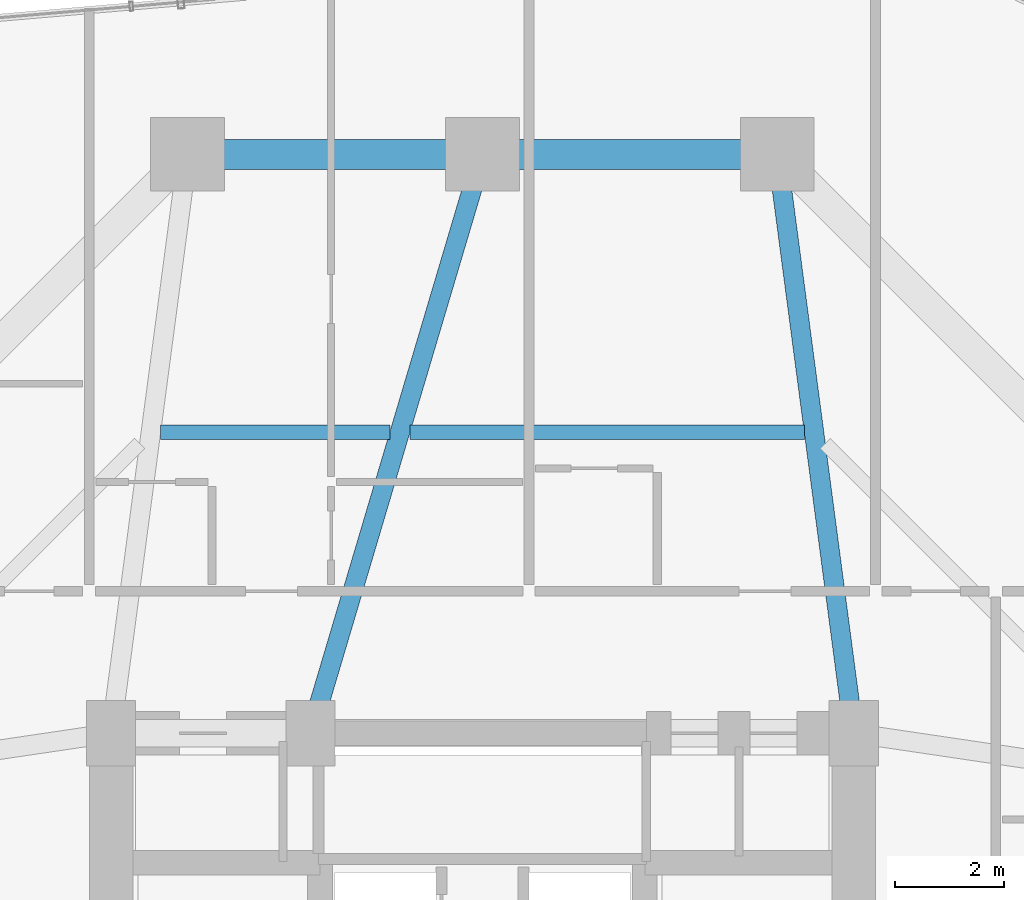
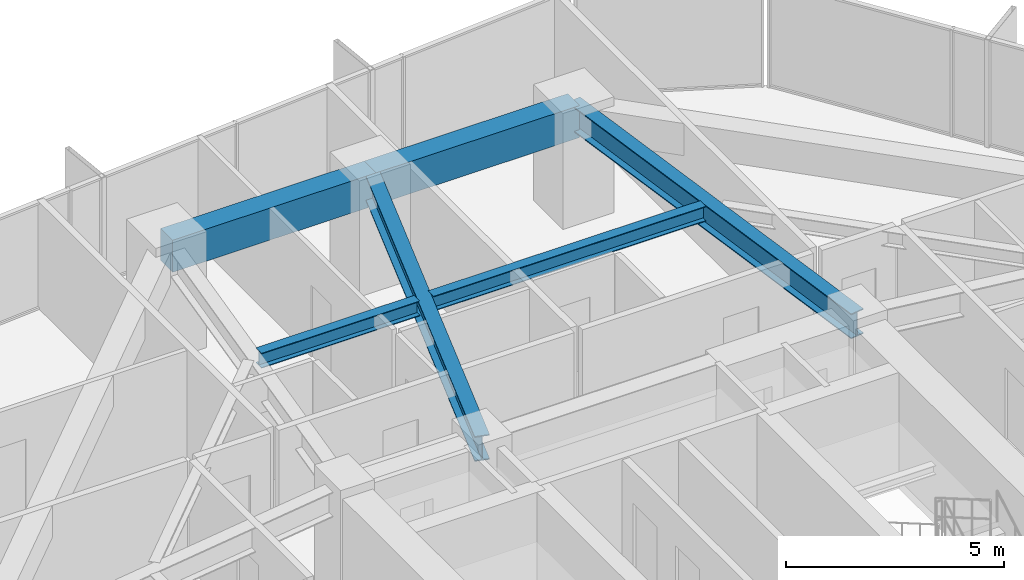
# One storey, part 24 of 37: 6 beams.
"""IFC4 building model written with IfcOpenShell, lengths in metres."""

from ifc_helpers import new_model, si_unit, direction, frame, origin, origin_2d, place, context, subcontext, project, spatial, rectangle, i_section, extrude, material, material_profile, profile_set, type_object, element, save


model = new_model("IFC4")

# Units and contexts
model_context = context("Model", 3, precision=1e-05, world=origin(), true_north=direction((0.0, 1.0)))
body_context = subcontext(model_context, "Body", "Model", "MODEL_VIEW")
ifc_project = project(units=[si_unit("LENGTHUNIT", "METRE"), si_unit("AREAUNIT", "SQUARE_METRE"), si_unit("VOLUMEUNIT", "CUBIC_METRE"), si_unit("PLANEANGLEUNIT", "RADIAN"), si_unit("MASSUNIT", "GRAM", prefix="KILO")], contexts=[model_context])

# Site, building, storey
site_placement = place(None, origin())
site = spatial("IfcSite", under=ifc_project, at=site_placement, CompositionType="ELEMENT")
building_placement = place(site_placement, origin())
building = spatial("IfcBuilding", under=site, at=building_placement, Name="Veraguas Prism Commons", CompositionType="ELEMENT")
storey_placement = place(building_placement, frame((0.0, 0.0, 40.300048828125)))
storey = spatial("IfcBuildingStorey", under=building, at=storey_placement, Name="L10", CompositionType="ELEMENT", Elevation=40.300048828125)

# Beams
ifc_material_1 = material(Name="Steel ASTM A992 Grade 50", Category="steel")
ifc_material_profile_1 = material_profile(ifc_material_1, i_section(OverallWidth=0.260986328125, OverallDepth=0.419921875, WebThickness=0.01171875, FlangeThickness=0.019287109375, at=origin_2d()), Name="W410X114")
ifc_profile_set_1 = profile_set([ifc_material_profile_1], Name="Steel ASTM A992 Grade 50")
beam_type_1 = type_object("IfcBeamType", Name="Lower Floor Joist W410x114", PredefinedType="JOIST", material=ifc_profile_set_1)
beam_1_placement = place(storey_placement, frame((29.89453125, 36.511962890625, 2.7900390625), z_axis=(-1.0, 0.0, 0.0), x_axis=(0.0, -1.0, 0.0)))
element("IfcBeam", 1, at=beam_1_placement, inside=storey, type_object=beam_type_1, Name="Composite Floor Joist L10-JS04", PredefinedType="JOIST", context=body_context, shape_type="SweptSolid", body=[
    extrude(i_section(OverallWidth=0.260986328125, OverallDepth=0.419921875, WebThickness=0.01171875, FlangeThickness=0.019287109375, at=origin_2d()), origin(), (0.0, 0.0, 1.0), 7.222900390625),
])
beam_2_placement = place(storey_placement, frame((22.304443359375, 36.511962890625, 2.7900390625), z_axis=(-1.0, 0.0, 0.0), x_axis=(0.0, -1.0, 0.0)))
element("IfcBeam", 2, at=beam_2_placement, inside=storey, type_object=beam_type_1, Name="Composite Floor Joist L10-JS05", PredefinedType="JOIST", context=body_context, shape_type="SweptSolid", body=[
    extrude(i_section(OverallWidth=0.260986328125, OverallDepth=0.419921875, WebThickness=0.01171875, FlangeThickness=0.019287109375, at=origin_2d()), origin(), (0.0, 0.0, 1.0), 4.198974609375),
])
ifc_material_2 = material(Name="Concrete C50/60", Category="concrete")
ifc_material_profile_2 = material_profile(ifc_material_2, rectangle(XDim=0.550048828125, YDim=0.89990234375, at=origin_2d()), Name="RC550X900")
ifc_profile_set_2 = profile_set([ifc_material_profile_2], Name="Concrete C50/60")
beam_type_2 = type_object("IfcBeamType", Name="Perimeter Spandrel Lower RC 550x900", PredefinedType="SPANDREL", material=ifc_profile_set_2)
for number, where, z_axis, x_axis, name in (
    (3, (29.39990234375, 41.60009765625, 2.550048828125), (-1.0, 0.0, 0.0), (0.0, -1.0, 0.0), "Perimeter Spandrel Beam L10-SP04"),
    (4, (24.0, 41.60009765625, 2.550048828125), (-1.0, 0.0, 0.0), (0.0, -1.0, 0.0), "Perimeter Spandrel Beam L10-SP05"),
):
    element("IfcBeam", number, at=place(storey_placement, frame(where, z_axis=z_axis, x_axis=x_axis)), inside=storey, type_object=beam_type_2, Name=name, PredefinedType="SPANDREL", context=body_context, shape_type="SweptSolid", body=[
        extrude(rectangle(XDim=0.550048828125, YDim=0.89990234375, at=origin_2d()), origin(), (0.0, 0.0, 1.0), 5.39990234375),
    ])
ifc_material_profile_3 = material_profile(ifc_material_1, i_section(OverallWidth=0.35595703125, OverallDepth=0.700927734375, WebThickness=0.016845703125, FlangeThickness=0.02734375, at=origin_2d()), Name="W690X240")
ifc_profile_set_3 = profile_set([ifc_material_profile_3], Name="Steel ASTM A992 Grade 50")
beam_type_3 = type_object("IfcBeamType", Name="Zone 1 Radial Girder W690x240", PredefinedType="BEAM", material=ifc_profile_set_3)
beam_3_placement = place(storey_placement, frame((29.39990234375, 41.60009765625, 2.6494140625), z_axis=(0.130950648891, -0.991388888154, 0.0), x_axis=(0.991388888154, 0.130950648891, 0.0)))
element("IfcBeam", 5, at=beam_3_placement, inside=storey, type_object=beam_type_3, Name="Radial Floor Girder L10-RD04", PredefinedType="BEAM", context=body_context, shape_type="SweptSolid", body=[
    extrude(i_section(OverallWidth=0.35595703125, OverallDepth=0.700927734375, WebThickness=0.016845703125, FlangeThickness=0.02734375, at=origin_2d()), origin(), (0.0, 0.0, 1.0), 10.692138671875),
])
beam_4_placement = place(storey_placement, frame((24.0, 41.60009765625, 2.6494140625), z_axis=(-0.28484745997, -0.958572858237, 0.0), x_axis=(0.958572858237, -0.28484745997, 0.0)))
element("IfcBeam", 6, at=beam_4_placement, inside=storey, type_object=beam_type_3, Name="Radial Floor Girder L10-RD05", PredefinedType="BEAM", context=body_context, shape_type="SweptSolid", body=[
    extrude(i_section(OverallWidth=0.35595703125, OverallDepth=0.700927734375, WebThickness=0.016845703125, FlangeThickness=0.02734375, at=origin_2d()), origin(), (0.0, 0.0, 1.0), 11.05810546875),
])

save(model, "model.ifc")
